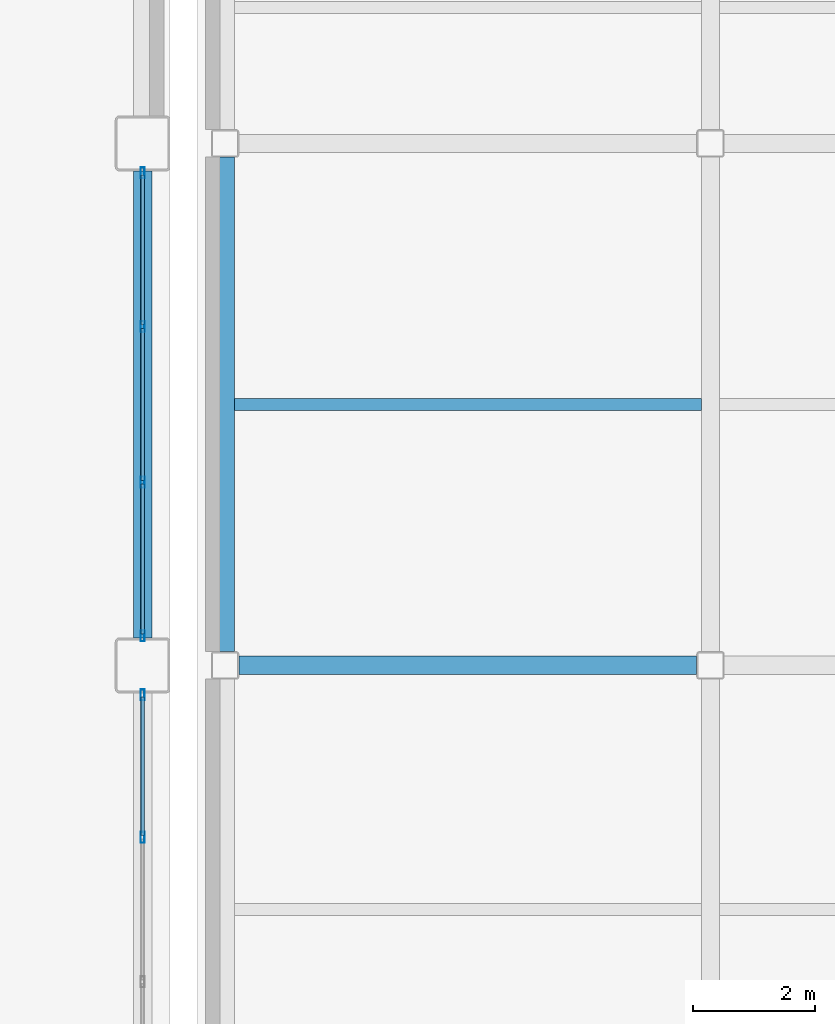
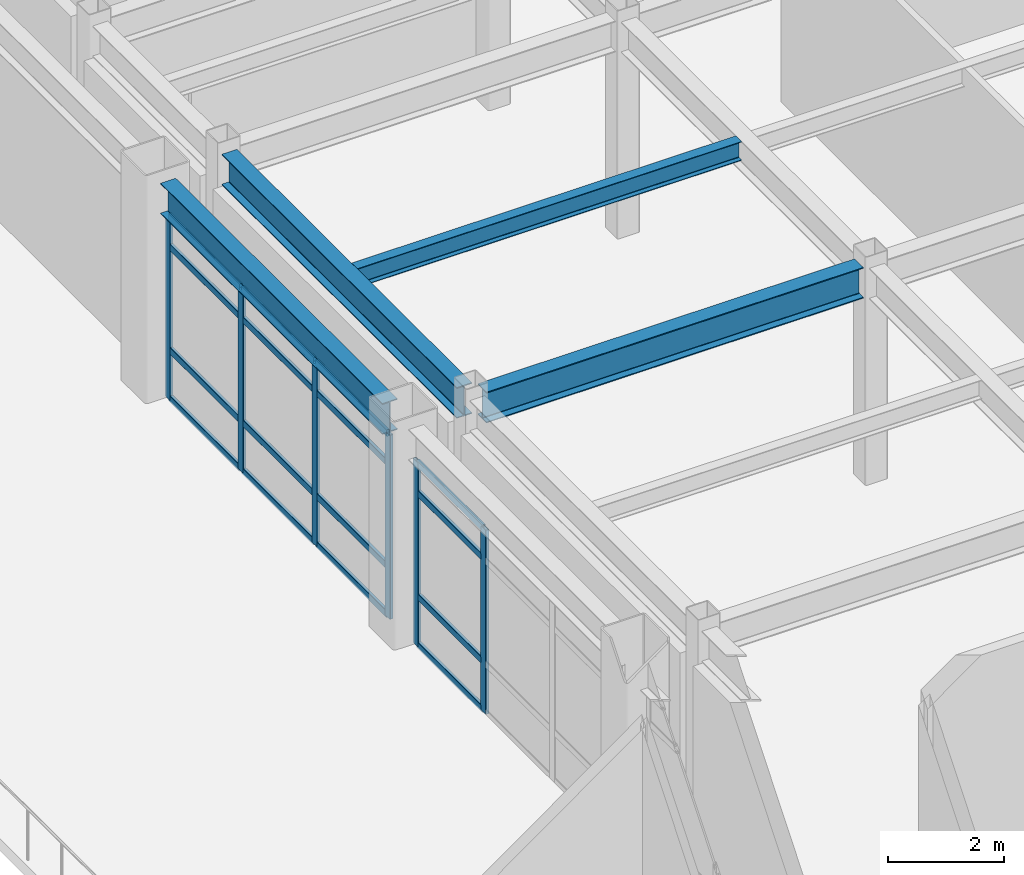
# One storey, part 70 of 172: 22 members, 4 beams, 2 elements without a shape of their own.
"""IFC4 building model written with IfcOpenShell, lengths in metres."""

import ifcopenshell
import ifcopenshell.guid

model = None  # the IFC model being written
_history = None  # IfcOwnerHistory: only IFC2X3 demands one
_inside = {}  # id of a spatial element -> (the spatial element, [elements in it])
_under = {}  # id of a project, library or spatial element -> (it, [spatial elements below it])
_declared = {}  # id of a project -> (the project, [libraries it declares])
_typed = {}  # id of a type object -> (the type object, [elements of that type])
_made_of = {}  # id of a material, layer set ... -> (it, [elements and type objects made of it])


def new_model(schema):
    """Start an empty IFC model of exactly this schema.

    Asked for "IFC4X3", IfcOpenShell would pick the latest addendum, in which some entities
    have other attributes; the version numbers below select the first issue.
    IFC2X3 requires an IfcOwnerHistory on every rooted entity: one is made here for all.
    """
    global model, _history
    if schema == "IFC4X3":
        model = ifcopenshell.file(schema_version=(4, 3, 0, 0))
    else:
        model = ifcopenshell.file(schema=schema)
    _inside.clear()
    _under.clear()
    _declared.clear()
    _typed.clear()
    _made_of.clear()
    _history = None
    if model.schema == "IFC2X3":
        org = make("IfcOrganization", Name="unknown")
        user = make(
            "IfcPersonAndOrganization",
            ThePerson=make("IfcPerson", FamilyName="unknown"),
            TheOrganization=org,
        )
        app = make(
            "IfcApplication",
            ApplicationDeveloper=org,
            Version="unknown",
            ApplicationFullName="unknown",
            ApplicationIdentifier="unknown",
        )
        _history = make(
            "IfcOwnerHistory",
            OwningUser=user,
            OwningApplication=app,
            ChangeAction="ADDED",
            CreationDate=0,
        )
    return model


def make(cls, **values):
    """One entity of the class cls with the attributes given. An attribute that is None is left unset."""
    return model.create_entity(
        cls, **{name: value for name, value in values.items() if value is not None}
    )


def rooted(cls, **values):
    """An entity with a GlobalId (a new one), such as an element, a storey or a relation."""
    return make(cls, GlobalId=ifcopenshell.guid.new(), OwnerHistory=_history, **values)


def si_unit(unit_type, name, prefix=None):
    """IfcSIUnit, for example si_unit("LENGTHUNIT", "METRE", prefix="MILLI")."""
    return make("IfcSIUnit", UnitType=unit_type, Prefix=prefix, Name=name)


def assignment(units):
    """IfcUnitAssignment: the units of a project."""
    return None if units is None else make("IfcUnitAssignment", Units=units)


def point(xyz):
    """IfcCartesianPoint."""
    return None if xyz is None else make("IfcCartesianPoint", Coordinates=xyz)


def direction(xyz):
    """IfcDirection."""
    return None if xyz is None else make("IfcDirection", DirectionRatios=xyz)


def frame(location, z_axis=None, x_axis=None):
    """IfcAxis2Placement3D, a coordinate frame: its origin and axes. An axis left out is left unset."""
    return make(
        "IfcAxis2Placement3D",
        Location=point(location),
        Axis=direction(z_axis),
        RefDirection=direction(x_axis),
    )


def frame_2d(location, x_axis=None):
    """IfcAxis2Placement2D, a coordinate frame in the plane: its origin and x axis."""
    return make(
        "IfcAxis2Placement2D", Location=point(location), RefDirection=direction(x_axis)
    )


def origin():
    """The frame at (0, 0, 0) with its axes left unset."""
    return frame((0.0, 0.0, 0.0))


def origin_2d():
    """The frame at (0, 0) in the plane with its x axis left unset."""
    return frame_2d((0.0, 0.0))


def place(relative_to, where):
    """IfcLocalPlacement: puts the frame where relative to a parent placement (None: the world)."""
    return make(
        "IfcLocalPlacement", PlacementRelTo=relative_to, RelativePlacement=where
    )


def context(
    kind, dimensions, precision=None, world=None, true_north=None, identifier=None
):
    """IfcGeometricRepresentationContext, for example the 3D "Model" context."""
    return make(
        "IfcGeometricRepresentationContext",
        ContextIdentifier=identifier,
        ContextType=kind,
        CoordinateSpaceDimension=dimensions,
        Precision=precision,
        WorldCoordinateSystem=world,
        TrueNorth=true_north,
    )


def subcontext(parent, identifier, kind, view, scale=None):
    """IfcGeometricRepresentationSubContext, for example "Body" below "Model"."""
    return make(
        "IfcGeometricRepresentationSubContext",
        ContextIdentifier=identifier,
        ContextType=kind,
        ParentContext=parent,
        TargetScale=scale,
        TargetView=view,
    )


def project(units=None, contexts=None):
    """IfcProject with its units and contexts."""
    return rooted(
        "IfcProject",
        Name="project",
        RepresentationContexts=contexts,
        UnitsInContext=assignment(units),
    )


def spatial(cls, under=None, at=None, **own):
    """A site, building, storey or space (cls), placed at a placement, below another one or the project."""
    s = rooted(cls, ObjectPlacement=at, **own)
    if under is not None:
        _under.setdefault(under.id(), (under, []))[1].append(s)
    return s


def profile(cls, at=None, kind="AREA", **sizes):
    """A parametric profile (cls). Its sizes go by their IFC names, for example OverallWidth=200.0."""
    return make(cls, ProfileType=kind, Position=at, **sizes)


def hollow_rectangle(**sizes):
    """IfcRectangleHollowProfileDef."""
    return profile("IfcRectangleHollowProfileDef", **sizes)


def i_section(**sizes):
    """IfcIShapeProfileDef."""
    return profile("IfcIShapeProfileDef", **sizes)


def extrude(swept, where, along, depth):
    """IfcExtrudedAreaSolid: the profile swept, set in the frame where, extruded along a direction by depth."""
    return make(
        "IfcExtrudedAreaSolid",
        SweptArea=swept,
        Position=where,
        ExtrudedDirection=direction(along),
        Depth=depth,
    )


def shape(context_of_items, identifier, shape_type, items):
    """IfcShapeRepresentation: the items that make up one representation, for example the "Body"."""
    return make(
        "IfcShapeRepresentation",
        ContextOfItems=context_of_items,
        RepresentationIdentifier=identifier,
        RepresentationType=shape_type,
        Items=items,
    )


def material(Name=None, Category=None):
    """IfcMaterial."""
    return make("IfcMaterial", Name=Name, Category=Category)


def layer(
    of_material, thickness, ventilated=None, Name=None, Category=None, Priority=None
):
    """IfcMaterialLayer: one layer of a wall or slab, of a material (None: an air gap)."""
    return make(
        "IfcMaterialLayer",
        Material=of_material,
        LayerThickness=thickness,
        IsVentilated=ventilated,
        Name=Name,
        Category=Category,
        Priority=Priority,
    )


def layer_set(layers, Name=None):
    """IfcMaterialLayerSet."""
    return make("IfcMaterialLayerSet", MaterialLayers=layers, LayerSetName=Name)


def material_profile(
    of_material, cross_section, Name=None, Category=None, Priority=None
):
    """IfcMaterialProfile: a cross section and its material."""
    return make(
        "IfcMaterialProfile",
        Name=Name,
        Material=of_material,
        Profile=cross_section,
        Priority=Priority,
        Category=Category,
    )


def profile_set(profiles, Name=None, composite=None):
    """IfcMaterialProfileSet."""
    return make(
        "IfcMaterialProfileSet",
        Name=Name,
        MaterialProfiles=profiles,
        CompositeProfile=composite,
    )


def made_of(thing, what):
    """Note that an element or type object is made of a material, layer set ...; save() writes the relation."""
    if what is not None:
        _made_of.setdefault(what.id(), (what, []))[1].append(thing)
    return thing


def type_object(cls, material=None, **own):
    """A type object (cls), such as IfcWallType, which elements share."""
    return made_of(rooted(cls, **own), material)


def element(
    cls,
    number,
    at=None,
    inside=None,
    cuts=None,
    type_object=None,
    material=None,
    context=None,
    identifier="Body",
    shape_type=None,
    held_by="IfcProductDefinitionShape",
    body=None,
    shapes=None,
    **own,
):
    """One element of the class cls, such as IfcWall. Its Tag is "e" and its number.

    at: its placement. inside: the storey or other place that contains it. cuts: it is an
    opening in that element (IfcRelVoidsElement). A single representation is given by context,
    identifier, shape_type and body (its items); several are given by shapes. held_by: the class
    of the entity that holds the representations. save() writes the other relations.
    """
    e = rooted(cls, Tag="e%d" % number, ObjectPlacement=at, **own)
    if body is not None:
        shapes = [shape(context, identifier, shape_type, body)]
    if shapes is not None:
        e.Representation = make(held_by, Representations=shapes)
    if inside is not None:
        _inside.setdefault(inside.id(), (inside, []))[1].append(e)
    if cuts is not None:
        rooted(
            "IfcRelVoidsElement", RelatingBuildingElement=cuts, RelatedOpeningElement=e
        )
    if type_object is not None:
        _typed.setdefault(type_object.id(), (type_object, []))[1].append(e)
    return made_of(e, material)


def aggregate(whole, parts):
    """IfcRelAggregates: a whole, such as a stair, and the parts it consists of."""
    return rooted("IfcRelAggregates", RelatingObject=whole, RelatedObjects=parts)


def save(model, path):
    """Write the relations noted so far, then the file.

    IfcRelAggregates (storeys below a building ...), IfcRelContainedInSpatialStructure (elements
    in a storey), IfcRelDefinesByType, IfcRelAssociatesMaterial and IfcRelDeclares: one each for
    every whole, place, type object, material and project.
    """
    for whole, parts in _under.values():
        aggregate(whole, parts)
    for where, things in _inside.values():
        rooted(
            "IfcRelContainedInSpatialStructure",
            RelatedElements=things,
            RelatingStructure=where,
        )
    for kind, things in _typed.values():
        rooted("IfcRelDefinesByType", RelatedObjects=things, RelatingType=kind)
    for what, things in _made_of.values():
        rooted("IfcRelAssociatesMaterial", RelatedObjects=things, RelatingMaterial=what)
    for by, libraries in _declared.values():
        rooted("IfcRelDeclares", RelatingContext=by, RelatedDefinitions=libraries)
    model.write(path)


model = new_model("IFC4")

# Units and contexts
model_context = context("Model", 3, precision=1e-05, world=origin(), true_north=direction((0.0, 1.0)))
body_context = subcontext(model_context, "Body", "Model", "MODEL_VIEW")
ifc_project = project(units=[si_unit("LENGTHUNIT", "METRE"), si_unit("AREAUNIT", "SQUARE_METRE"), si_unit("VOLUMEUNIT", "CUBIC_METRE"), si_unit("PLANEANGLEUNIT", "RADIAN"), si_unit("MASSUNIT", "GRAM", prefix="KILO")], contexts=[model_context])

# Site, building, storey
site_placement = place(None, origin())
site = spatial("IfcSite", under=ifc_project, at=site_placement, CompositionType="ELEMENT")
building_placement = place(site_placement, origin())
building = spatial("IfcBuilding", under=site, at=building_placement, Name="Kazehara Bluff Congress Hotel", CompositionType="ELEMENT")
storey_placement = place(building_placement, frame((0.0, 0.0, 5.39990234375)))
storey = spatial("IfcBuildingStorey", under=building, at=storey_placement, Name="L01", CompositionType="ELEMENT", Elevation=5.39990234375)

# Curtain wall, members
ifc_material_1 = material(Name="Anodised aluminium", Category="aluminium")
ifc_layer_1 = layer(ifc_material_1, 0.159912109375)
ifc_layer_set_1 = layer_set([ifc_layer_1], Name="Anodised aluminium")
curtain_wall_type_1 = type_object("IfcCurtainWallType", Name="TP-CW-20", PredefinedType="NOTDEFINED", material=ifc_layer_set_1)
curtain_wall_1_placement = place(storey_placement, origin())
curtain_wall_1 = element("IfcCurtainWall", 1, at=curtain_wall_1_placement, inside=storey, type_object=curtain_wall_type_1, Name="L01 curtain wall CW-20 CW-V1-L01-X5835-8935", PredefinedType="NOTDEFINED")
ifc_material_2 = material(Name="Anodised aluminium", Category="aluminium")
ifc_material_profile_1 = material_profile(ifc_material_2, hollow_rectangle(XDim=0.06494140625, YDim=0.179931640625, WallThickness=0.00390625, InnerFilletRadius=0.00390625, OuterFilletRadius=0.008056640625, at=origin_2d()))
ifc_profile_set_1 = profile_set([ifc_material_profile_1], Name="Anodised aluminium")
member_type_1 = type_object("IfcMemberType", Name="TP-CWM-02", PredefinedType="MULLION", material=ifc_profile_set_1)
member_1_placement = place(storey_placement, frame((58.35009765625, 94.083251953125, 0.0), z_axis=(0.0, 0.0, 1.0), x_axis=(-1.0, 0.0, 0.0)))
member_1 = element("IfcMember", 2, at=member_1_placement, type_object=member_type_1, Name="CW-20 mullion 3", PredefinedType="MULLION", context=body_context, shape_type="SweptSolid", body=[
    extrude(hollow_rectangle(XDim=0.06494140625, YDim=0.179931640625, WallThickness=0.00390625, InnerFilletRadius=0.00390625, OuterFilletRadius=0.008056640625, at=origin_2d()), origin(), (0.0, 0.0, 1.0), 3.875),
])
member_2_placement = place(storey_placement, frame((58.35009765625, 96.41748046875, 0.0), z_axis=(0.0, 0.0, 1.0), x_axis=(-1.0, 0.0, 0.0)))
member_2 = element("IfcMember", 3, at=member_2_placement, type_object=member_type_1, Name="CW-20 mullion 4", PredefinedType="MULLION", context=body_context, shape_type="SweptSolid", body=[
    extrude(hollow_rectangle(XDim=0.06494140625, YDim=0.179931640625, WallThickness=0.00390625, InnerFilletRadius=0.00390625, OuterFilletRadius=0.008056640625, at=origin_2d()), origin(), (0.0, 0.0, 1.0), 3.875),
])

ifc_material_3 = material(Name="Anodised aluminium", Category="aluminium")
ifc_layer_2 = layer(ifc_material_3, 0.159912109375)
ifc_layer_set_2 = layer_set([ifc_layer_2], Name="Anodised aluminium")
curtain_wall_type_2 = type_object("IfcCurtainWallType", Name="TP-CW-22", PredefinedType="NOTDEFINED", material=ifc_layer_set_2)
curtain_wall_2_placement = place(storey_placement, origin())
curtain_wall_2 = element("IfcCurtainWall", 4, at=curtain_wall_2_placement, inside=storey, type_object=curtain_wall_type_2, Name="L01 curtain wall CW-22 CW-V1-L01-X5835-9735", PredefinedType="NOTDEFINED")
member_3_placement = place(storey_placement, frame((58.35009765625, 97.382568359375, 0.0), z_axis=(0.0, 0.0, 1.0), x_axis=(-1.0, 0.0, 0.0)))
member_3 = element("IfcMember", 5, at=member_3_placement, type_object=member_type_1, Name="CW-22 mullion 1", PredefinedType="MULLION", context=body_context, shape_type="SweptSolid", body=[
    extrude(hollow_rectangle(XDim=0.06494140625, YDim=0.179931640625, WallThickness=0.00390625, InnerFilletRadius=0.00390625, OuterFilletRadius=0.008056640625, at=origin_2d()), origin(), (0.0, 0.0, 1.0), 3.875),
])
member_4_placement = place(storey_placement, frame((58.35009765625, 99.89990234375, 0.0), z_axis=(0.0, 0.0, 1.0), x_axis=(-1.0, 0.0, 0.0)))
member_4 = element("IfcMember", 6, at=member_4_placement, type_object=member_type_1, Name="CW-22 mullion 2", PredefinedType="MULLION", context=body_context, shape_type="SweptSolid", body=[
    extrude(hollow_rectangle(XDim=0.06494140625, YDim=0.179931640625, WallThickness=0.00390625, InnerFilletRadius=0.00390625, OuterFilletRadius=0.008056640625, at=origin_2d()), origin(), (0.0, 0.0, 1.0), 3.875),
])
member_5_placement = place(storey_placement, frame((58.35009765625, 102.449951171875, 0.0), z_axis=(0.0, 0.0, 1.0), x_axis=(-1.0, 0.0, 0.0)))
member_5 = element("IfcMember", 7, at=member_5_placement, type_object=member_type_1, Name="CW-22 mullion 3", PredefinedType="MULLION", context=body_context, shape_type="SweptSolid", body=[
    extrude(hollow_rectangle(XDim=0.06494140625, YDim=0.179931640625, WallThickness=0.00390625, InnerFilletRadius=0.00390625, OuterFilletRadius=0.008056640625, at=origin_2d()), origin(), (0.0, 0.0, 1.0), 3.875),
])
member_6_placement = place(storey_placement, frame((58.35009765625, 104.967529296875, 0.0), z_axis=(0.0, 0.0, 1.0), x_axis=(-1.0, 0.0, 0.0)))
member_6 = element("IfcMember", 8, at=member_6_placement, type_object=member_type_1, Name="CW-22 mullion 4", PredefinedType="MULLION", context=body_context, shape_type="SweptSolid", body=[
    extrude(hollow_rectangle(XDim=0.06494140625, YDim=0.179931640625, WallThickness=0.00390625, InnerFilletRadius=0.00390625, OuterFilletRadius=0.008056640625, at=origin_2d()), origin(), (0.0, 0.0, 1.0), 3.875),
])

# Member
ifc_material_4 = material(Name="Anodised aluminium", Category="aluminium")
ifc_material_profile_2 = material_profile(ifc_material_4, hollow_rectangle(XDim=0.06494140625, YDim=0.139892578125, WallThickness=0.00390625, InnerFilletRadius=0.00390625, OuterFilletRadius=0.008056640625, at=origin_2d()))
ifc_profile_set_2 = profile_set([ifc_material_profile_2], Name="Anodised aluminium")
member_type_2 = type_object("IfcMemberType", Name="TP-CWT-02", PredefinedType="USERDEFINED", material=ifc_profile_set_2)
member_7_placement = place(storey_placement, frame((58.35009765625, 94.11572265625, 0.03271484375), z_axis=(0.0, 1.0, 0.0), x_axis=(-1.0, 0.0, 0.0)))
member_7 = element("IfcMember", 9, at=member_7_placement, type_object=member_type_2, Name="CW-20 transom 3.1", ObjectType="TRANSOM", PredefinedType="USERDEFINED", context=body_context, shape_type="SweptSolid", body=[
    extrude(hollow_rectangle(XDim=0.06494140625, YDim=0.139892578125, WallThickness=0.00390625, InnerFilletRadius=0.00390625, OuterFilletRadius=0.008056640625, at=origin_2d()), origin(), (0.0, 0.0, 1.0), 2.269287109375),
])

member_8_placement = place(storey_placement, frame((58.35009765625, 94.11572265625, 1.050048828125), z_axis=(0.0, 1.0, 0.0), x_axis=(-1.0, 0.0, 0.0)))
member_8 = element("IfcMember", 10, at=member_8_placement, type_object=member_type_2, Name="CW-20 transom 3.2", ObjectType="TRANSOM", PredefinedType="USERDEFINED", context=body_context, shape_type="SweptSolid", body=[
    extrude(hollow_rectangle(XDim=0.06494140625, YDim=0.139892578125, WallThickness=0.00390625, InnerFilletRadius=0.00390625, OuterFilletRadius=0.008056640625, at=origin_2d()), origin(), (0.0, 0.0, 1.0), 2.269287109375),
])

member_9_placement = place(storey_placement, frame((58.35009765625, 94.11572265625, 3.22509765625), z_axis=(0.0, 1.0, 0.0), x_axis=(-1.0, 0.0, 0.0)))
member_9 = element("IfcMember", 11, at=member_9_placement, type_object=member_type_2, Name="CW-20 transom 3.3", ObjectType="TRANSOM", PredefinedType="USERDEFINED", context=body_context, shape_type="SweptSolid", body=[
    extrude(hollow_rectangle(XDim=0.06494140625, YDim=0.139892578125, WallThickness=0.00390625, InnerFilletRadius=0.00390625, OuterFilletRadius=0.008056640625, at=origin_2d()), origin(), (0.0, 0.0, 1.0), 2.269287109375),
])

member_10_placement = place(storey_placement, frame((58.35009765625, 94.11572265625, 3.842529296875), z_axis=(0.0, 1.0, 0.0), x_axis=(-1.0, 0.0, 0.0)))
member_10 = element("IfcMember", 12, at=member_10_placement, type_object=member_type_2, Name="CW-20 transom 3.4", ObjectType="TRANSOM", PredefinedType="USERDEFINED", context=body_context, shape_type="SweptSolid", body=[
    extrude(hollow_rectangle(XDim=0.06494140625, YDim=0.139892578125, WallThickness=0.00390625, InnerFilletRadius=0.00390625, OuterFilletRadius=0.008056640625, at=origin_2d()), origin(), (0.0, 0.0, 1.0), 2.269287109375),
])

aggregate(curtain_wall_1, [member_1, member_2, member_7, member_8, member_9, member_10])

member_11_placement = place(storey_placement, frame((58.35009765625, 97.4150390625, 0.03271484375), z_axis=(0.0, 1.0, 0.0), x_axis=(-1.0, 0.0, 0.0)))
member_11 = element("IfcMember", 13, at=member_11_placement, type_object=member_type_2, Name="CW-22 transom 1.1", ObjectType="TRANSOM", PredefinedType="USERDEFINED", context=body_context, shape_type="SweptSolid", body=[
    extrude(hollow_rectangle(XDim=0.06494140625, YDim=0.139892578125, WallThickness=0.00390625, InnerFilletRadius=0.00390625, OuterFilletRadius=0.008056640625, at=origin_2d()), origin(), (0.0, 0.0, 1.0), 2.452392578125),
])

member_12_placement = place(storey_placement, frame((58.35009765625, 97.4150390625, 1.050048828125), z_axis=(0.0, 1.0, 0.0), x_axis=(-1.0, 0.0, 0.0)))
member_12 = element("IfcMember", 14, at=member_12_placement, type_object=member_type_2, Name="CW-22 transom 1.2", ObjectType="TRANSOM", PredefinedType="USERDEFINED", context=body_context, shape_type="SweptSolid", body=[
    extrude(hollow_rectangle(XDim=0.06494140625, YDim=0.139892578125, WallThickness=0.00390625, InnerFilletRadius=0.00390625, OuterFilletRadius=0.008056640625, at=origin_2d()), origin(), (0.0, 0.0, 1.0), 2.452392578125),
])

member_13_placement = place(storey_placement, frame((58.35009765625, 97.4150390625, 3.22509765625), z_axis=(0.0, 1.0, 0.0), x_axis=(-1.0, 0.0, 0.0)))
member_13 = element("IfcMember", 15, at=member_13_placement, type_object=member_type_2, Name="CW-22 transom 1.3", ObjectType="TRANSOM", PredefinedType="USERDEFINED", context=body_context, shape_type="SweptSolid", body=[
    extrude(hollow_rectangle(XDim=0.06494140625, YDim=0.139892578125, WallThickness=0.00390625, InnerFilletRadius=0.00390625, OuterFilletRadius=0.008056640625, at=origin_2d()), origin(), (0.0, 0.0, 1.0), 2.452392578125),
])

member_14_placement = place(storey_placement, frame((58.35009765625, 97.4150390625, 3.842529296875), z_axis=(0.0, 1.0, 0.0), x_axis=(-1.0, 0.0, 0.0)))
member_14 = element("IfcMember", 16, at=member_14_placement, type_object=member_type_2, Name="CW-22 transom 1.4", ObjectType="TRANSOM", PredefinedType="USERDEFINED", context=body_context, shape_type="SweptSolid", body=[
    extrude(hollow_rectangle(XDim=0.06494140625, YDim=0.139892578125, WallThickness=0.00390625, InnerFilletRadius=0.00390625, OuterFilletRadius=0.008056640625, at=origin_2d()), origin(), (0.0, 0.0, 1.0), 2.452392578125),
])

member_15_placement = place(storey_placement, frame((58.35009765625, 99.9326171875, 0.03271484375), z_axis=(0.0, 1.0, 0.0), x_axis=(-1.0, 0.0, 0.0)))
member_15 = element("IfcMember", 17, at=member_15_placement, type_object=member_type_2, Name="CW-22 transom 2.1", ObjectType="TRANSOM", PredefinedType="USERDEFINED", context=body_context, shape_type="SweptSolid", body=[
    extrude(hollow_rectangle(XDim=0.06494140625, YDim=0.139892578125, WallThickness=0.00390625, InnerFilletRadius=0.00390625, OuterFilletRadius=0.008056640625, at=origin_2d()), origin(), (0.0, 0.0, 1.0), 2.48486328125),
])

member_16_placement = place(storey_placement, frame((58.35009765625, 99.9326171875, 1.050048828125), z_axis=(0.0, 1.0, 0.0), x_axis=(-1.0, 0.0, 0.0)))
member_16 = element("IfcMember", 18, at=member_16_placement, type_object=member_type_2, Name="CW-22 transom 2.2", ObjectType="TRANSOM", PredefinedType="USERDEFINED", context=body_context, shape_type="SweptSolid", body=[
    extrude(hollow_rectangle(XDim=0.06494140625, YDim=0.139892578125, WallThickness=0.00390625, InnerFilletRadius=0.00390625, OuterFilletRadius=0.008056640625, at=origin_2d()), origin(), (0.0, 0.0, 1.0), 2.48486328125),
])

member_17_placement = place(storey_placement, frame((58.35009765625, 99.9326171875, 3.22509765625), z_axis=(0.0, 1.0, 0.0), x_axis=(-1.0, 0.0, 0.0)))
member_17 = element("IfcMember", 19, at=member_17_placement, type_object=member_type_2, Name="CW-22 transom 2.3", ObjectType="TRANSOM", PredefinedType="USERDEFINED", context=body_context, shape_type="SweptSolid", body=[
    extrude(hollow_rectangle(XDim=0.06494140625, YDim=0.139892578125, WallThickness=0.00390625, InnerFilletRadius=0.00390625, OuterFilletRadius=0.008056640625, at=origin_2d()), origin(), (0.0, 0.0, 1.0), 2.48486328125),
])

member_18_placement = place(storey_placement, frame((58.35009765625, 99.9326171875, 3.842529296875), z_axis=(0.0, 1.0, 0.0), x_axis=(-1.0, 0.0, 0.0)))
member_18 = element("IfcMember", 20, at=member_18_placement, type_object=member_type_2, Name="CW-22 transom 2.4", ObjectType="TRANSOM", PredefinedType="USERDEFINED", context=body_context, shape_type="SweptSolid", body=[
    extrude(hollow_rectangle(XDim=0.06494140625, YDim=0.139892578125, WallThickness=0.00390625, InnerFilletRadius=0.00390625, OuterFilletRadius=0.008056640625, at=origin_2d()), origin(), (0.0, 0.0, 1.0), 2.48486328125),
])

member_19_placement = place(storey_placement, frame((58.35009765625, 102.482421875, 0.03271484375), z_axis=(0.0, 1.0, 0.0), x_axis=(-1.0, 0.0, 0.0)))
member_19 = element("IfcMember", 21, at=member_19_placement, type_object=member_type_2, Name="CW-22 transom 3.1", ObjectType="TRANSOM", PredefinedType="USERDEFINED", context=body_context, shape_type="SweptSolid", body=[
    extrude(hollow_rectangle(XDim=0.06494140625, YDim=0.139892578125, WallThickness=0.00390625, InnerFilletRadius=0.00390625, OuterFilletRadius=0.008056640625, at=origin_2d()), origin(), (0.0, 0.0, 1.0), 2.45263671875),
])

member_20_placement = place(storey_placement, frame((58.35009765625, 102.482421875, 1.050048828125), z_axis=(0.0, 1.0, 0.0), x_axis=(-1.0, 0.0, 0.0)))
member_20 = element("IfcMember", 22, at=member_20_placement, type_object=member_type_2, Name="CW-22 transom 3.2", ObjectType="TRANSOM", PredefinedType="USERDEFINED", context=body_context, shape_type="SweptSolid", body=[
    extrude(hollow_rectangle(XDim=0.06494140625, YDim=0.139892578125, WallThickness=0.00390625, InnerFilletRadius=0.00390625, OuterFilletRadius=0.008056640625, at=origin_2d()), origin(), (0.0, 0.0, 1.0), 2.45263671875),
])

member_21_placement = place(storey_placement, frame((58.35009765625, 102.482421875, 3.22509765625), z_axis=(0.0, 1.0, 0.0), x_axis=(-1.0, 0.0, 0.0)))
member_21 = element("IfcMember", 23, at=member_21_placement, type_object=member_type_2, Name="CW-22 transom 3.3", ObjectType="TRANSOM", PredefinedType="USERDEFINED", context=body_context, shape_type="SweptSolid", body=[
    extrude(hollow_rectangle(XDim=0.06494140625, YDim=0.139892578125, WallThickness=0.00390625, InnerFilletRadius=0.00390625, OuterFilletRadius=0.008056640625, at=origin_2d()), origin(), (0.0, 0.0, 1.0), 2.45263671875),
])

member_22_placement = place(storey_placement, frame((58.35009765625, 102.482421875, 3.842529296875), z_axis=(0.0, 1.0, 0.0), x_axis=(-1.0, 0.0, 0.0)))
member_22 = element("IfcMember", 24, at=member_22_placement, type_object=member_type_2, Name="CW-22 transom 3.4", ObjectType="TRANSOM", PredefinedType="USERDEFINED", context=body_context, shape_type="SweptSolid", body=[
    extrude(hollow_rectangle(XDim=0.06494140625, YDim=0.139892578125, WallThickness=0.00390625, InnerFilletRadius=0.00390625, OuterFilletRadius=0.008056640625, at=origin_2d()), origin(), (0.0, 0.0, 1.0), 2.45263671875),
])

aggregate(curtain_wall_2, [member_3, member_4, member_5, member_6, member_11, member_12, member_13, member_14, member_15, member_16, member_17, member_18, member_19, member_20, member_21, member_22])

# Beams
ifc_material_5 = material(Name="Steel SN490B", Category="steel")
ifc_material_profile_3 = material_profile(ifc_material_5, i_section(OverallWidth=0.300048828125, OverallDepth=0.64990234375, WebThickness=0.011962890625, FlangeThickness=0.02001953125, FilletRadius=0.012939453125, at=origin_2d()))
ifc_profile_set_3 = profile_set([ifc_material_profile_3], Name="Steel SN490B")
beam_type_1 = type_object("IfcBeamType", Name="TP-G-03", PredefinedType="BEAM", material=ifc_profile_set_3)
beam_1_placement = place(storey_placement, frame((58.35009765625, 97.35009765625, 4.22509765625), z_axis=(0.0, 1.0, 0.0), x_axis=(-1.0, 0.0, 0.0)))
element("IfcBeam", 25, at=beam_1_placement, inside=storey, type_object=beam_type_1, Name="L01 girder G-03 23", PredefinedType="BEAM", context=body_context, shape_type="SweptSolid", body=[
    extrude(i_section(OverallWidth=0.300048828125, OverallDepth=0.64990234375, WebThickness=0.011962890625, FlangeThickness=0.02001953125, FilletRadius=0.012939453125, at=origin_2d()), origin(), (0.0, 0.0, 1.0), 7.64990234375),
])
beam_2_placement = place(storey_placement, frame((59.699951171875, 97.125, 4.22509765625), z_axis=(0.0, 1.0, 0.0), x_axis=(-1.0, 0.0, 0.0)))
element("IfcBeam", 26, at=beam_2_placement, inside=storey, type_object=beam_type_1, Name="L01 girder G-03 101", PredefinedType="BEAM", context=body_context, shape_type="SweptSolid", body=[
    extrude(i_section(OverallWidth=0.300048828125, OverallDepth=0.64990234375, WebThickness=0.011962890625, FlangeThickness=0.02001953125, FilletRadius=0.012939453125, at=origin_2d()), origin(), (0.0, 0.0, 1.0), 8.10009765625),
])
beam_3_placement = place(storey_placement, frame((59.925048828125, 96.89990234375, 4.22509765625), z_axis=(1.0, 0.0, 0.0), x_axis=(0.0, 1.0, 0.0)))
element("IfcBeam", 27, at=beam_3_placement, inside=storey, type_object=beam_type_1, Name="L01 girder G-03 133", PredefinedType="BEAM", context=body_context, shape_type="SweptSolid", body=[
    extrude(i_section(OverallWidth=0.300048828125, OverallDepth=0.64990234375, WebThickness=0.011962890625, FlangeThickness=0.02001953125, FilletRadius=0.012939453125, at=origin_2d()), origin(), (0.0, 0.0, 1.0), 7.5),
])
ifc_material_6 = material(Name="Steel SN400B", Category="steel")
ifc_material_profile_4 = material_profile(ifc_material_6, i_section(OverallWidth=0.199951171875, OverallDepth=0.39990234375, WebThickness=0.008056640625, FlangeThickness=0.012939453125, FilletRadius=0.012939453125, at=origin_2d()))
ifc_profile_set_4 = profile_set([ifc_material_profile_4], Name="Steel SN400B")
beam_type_2 = type_object("IfcBeamType", Name="TP-J-03", PredefinedType="JOIST", material=ifc_profile_set_4)
beam_4_placement = place(storey_placement, frame((59.85009765625, 101.175048828125, 4.35009765625), z_axis=(1.0, 0.0, 0.0), x_axis=(0.0, 1.0, 0.0)))
element("IfcBeam", 28, at=beam_4_placement, inside=storey, type_object=beam_type_2, Name="L01 secondary joist J-03 15", PredefinedType="JOIST", context=body_context, shape_type="SweptSolid", body=[
    extrude(i_section(OverallWidth=0.199951171875, OverallDepth=0.39990234375, WebThickness=0.008056640625, FlangeThickness=0.012939453125, FilletRadius=0.012939453125, at=origin_2d()), origin(), (0.0, 0.0, 1.0), 7.64990234375),
])

save(model, "model.ifc")
